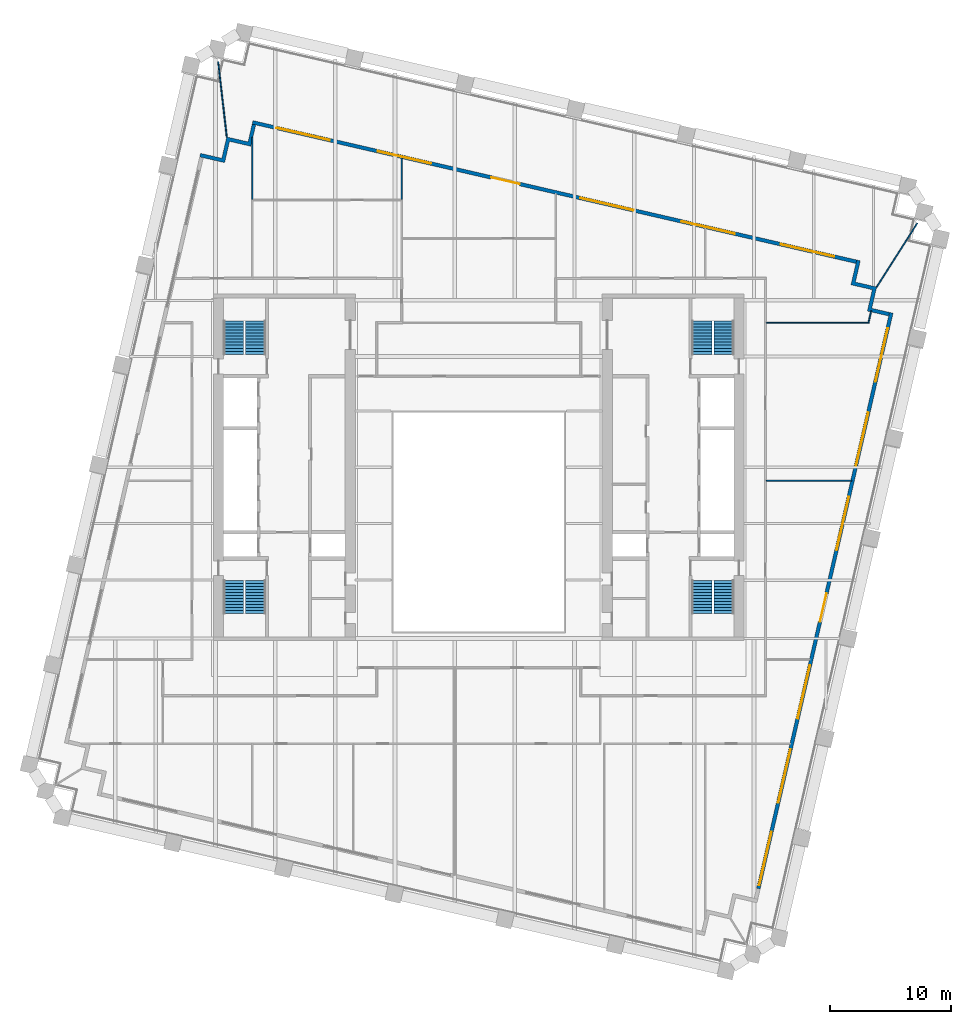
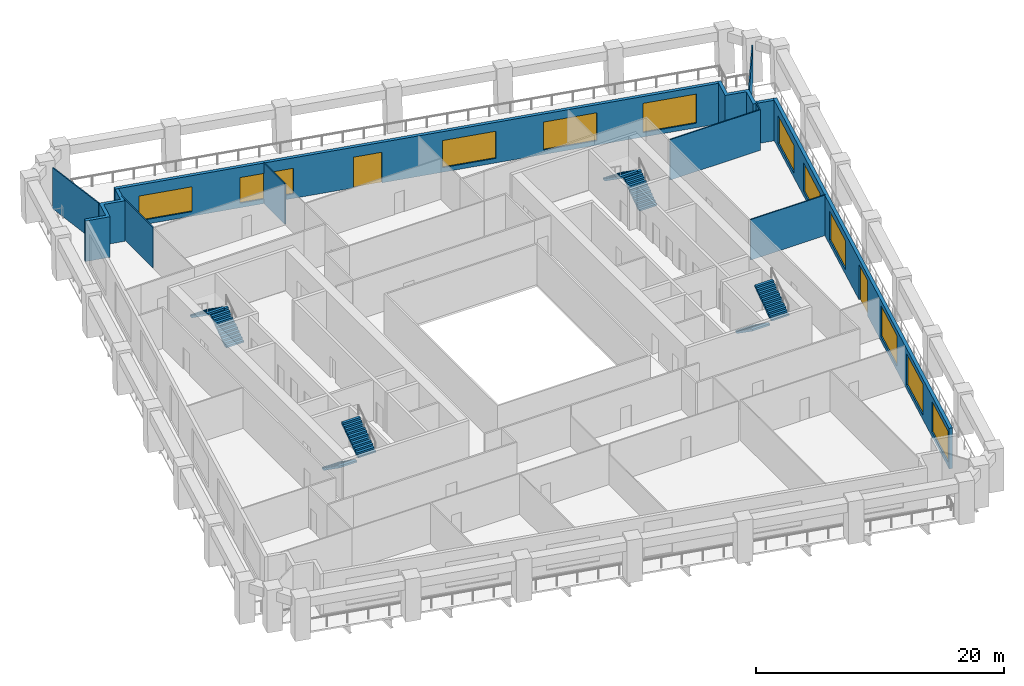
# One storey, part 8 of 10: 11 walls, 11 windows, 8 stair flights, 2 doors, 13 openings, 4 elements without a shape of their own.
"""IFC4 building model written with IfcOpenShell, lengths in metres."""

from ifc_helpers import new_model, si_unit, direction, frame, frame_2d, origin, place, context, subcontext, project, spatial, polyline, rectangle, outline, extrude, material, layer, layer_set, type_object, element, fill, aggregate, save


model = new_model("IFC4")

# Units and contexts
model_context = context("Model", 3, precision=1e-05, world=origin(), true_north=direction((0.0, 1.0)))
body_context = subcontext(model_context, "Body", "Model", "MODEL_VIEW")
ifc_project = project(units=[si_unit("LENGTHUNIT", "METRE"), si_unit("AREAUNIT", "SQUARE_METRE"), si_unit("VOLUMEUNIT", "CUBIC_METRE"), si_unit("PLANEANGLEUNIT", "RADIAN"), si_unit("MASSUNIT", "GRAM", prefix="KILO")], contexts=[model_context])

# Site, building, storey
site_placement = place(None, origin())
site = spatial("IfcSite", under=ifc_project, at=site_placement, CompositionType="ELEMENT")
building_placement = place(site_placement, origin())
building = spatial("IfcBuilding", under=site, at=building_placement, Name="Ogive Exchange Tower", CompositionType="ELEMENT")
storey_placement = place(building_placement, frame((0.0, 0.0, 147.60009765625)))
storey = spatial("IfcBuildingStorey", under=building, at=storey_placement, Name="L32", CompositionType="ELEMENT", Elevation=147.60009765625)

# Wall, openings, door, windows
ifc_material_1 = material(Name="Precast concrete C40/50", Category="concrete")
ifc_layer_1 = layer(ifc_material_1, 0.300048828125)
ifc_layer_set_1 = layer_set([ifc_layer_1], Name="Limestone-faced wall 300")
wall_type_1 = type_object("IfcWallType", Name="Limestone-faced wall 300", PredefinedType="STANDARD", material=ifc_layer_set_1)
wall_1_placement = place(storey_placement, frame((31.07763671875, 28.4208984375, 0.0), z_axis=(0.0, 0.0, 1.0), x_axis=(-0.974370456532, 0.224949357493, 0.0)))
wall_1 = element("IfcWall", 1, at=wall_1_placement, inside=storey, type_object=wall_type_1, Name="External wall N3", PredefinedType="STANDARD", context=body_context, shape_type="SweptSolid", body=[
    extrude(rectangle(XDim=51.0, YDim=0.300048828125, at=frame_2d((25.5, 0.0))), origin(), (0.0, 0.0, 1.0), 4.0),
])
opening_1_placement = place(wall_1_placement, frame((1.875, 0.0, 0.449951171875)))
opening_1 = element("IfcOpeningElement", 2, at=opening_1_placement, cuts=wall_1, Name="Opening W1D", PredefinedType="OPENING", context=body_context, shape_type="SweptSolid", body=[
    extrude(rectangle(XDim=4.5, YDim=2.875, at=frame_2d((2.25, 1.4375))), frame((0.0, 0.159912109375, 0.0), z_axis=(0.0, -1.0, 0.0), x_axis=(1.0, 0.0, 0.0)), (0.0, 0.0, 1.0), 0.320068359375),
])
opening_2_placement = place(wall_1_placement, frame((10.27490234375, 0.0, 0.449951171875)))
opening_2 = element("IfcOpeningElement", 3, at=opening_2_placement, cuts=wall_1, Name="Opening W1H", PredefinedType="OPENING", context=body_context, shape_type="SweptSolid", body=[
    extrude(rectangle(XDim=4.5, YDim=2.75, at=frame_2d((2.25, 1.375))), frame((0.0, 0.159912109375, 0.0), z_axis=(0.0, -1.0, 0.0), x_axis=(1.0, 0.0, 0.0)), (0.0, 0.0, 1.0), 0.320068359375),
])
opening_3_placement = place(wall_1_placement, frame((18.824951171875, 0.0, 0.449951171875)))
opening_3 = element("IfcOpeningElement", 4, at=opening_3_placement, cuts=wall_1, Name="Opening W1J", PredefinedType="OPENING", context=body_context, shape_type="SweptSolid", body=[
    extrude(rectangle(XDim=4.5, YDim=2.675048828125, at=frame_2d((2.25, 1.33740234375))), frame((0.0, 0.159912109375, 0.0), z_axis=(0.0, -1.0, 0.0), x_axis=(1.0, 0.0, 0.0)), (0.0, 0.0, 1.0), 0.320068359375),
])
opening_4_placement = place(wall_1_placement, frame((28.425048828125, 0.0, 0.0)))
opening_4 = element("IfcOpeningElement", 5, at=opening_4_placement, cuts=wall_1, Name="Opening D1M", PredefinedType="OPENING", context=body_context, shape_type="SweptSolid", body=[
    extrude(rectangle(XDim=2.39990234375, YDim=3.02490234375, at=frame_2d((1.199951171875, 1.512451171875))), frame((0.0, 0.159912109375, 0.0), z_axis=(0.0, -1.0, 0.0), x_axis=(1.0, 0.0, 0.0)), (0.0, 0.0, 1.0), 0.320068359375),
])
opening_5_placement = place(wall_1_placement, frame((35.925048828125, 0.0, 0.449951171875)))
opening_5 = element("IfcOpeningElement", 6, at=opening_5_placement, cuts=wall_1, Name="Opening W1N", PredefinedType="OPENING", context=body_context, shape_type="SweptSolid", body=[
    extrude(rectangle(XDim=4.5, YDim=2.52490234375, at=frame_2d((2.25, 1.262451171875))), frame((0.0, 0.159912109375, 0.0), z_axis=(0.0, -1.0, 0.0), x_axis=(1.0, 0.0, 0.0)), (0.0, 0.0, 1.0), 0.320068359375),
])
opening_6_placement = place(wall_1_placement, frame((44.47509765625, 0.0, 0.449951171875)))
opening_6 = element("IfcOpeningElement", 7, at=opening_6_placement, cuts=wall_1, Name="Opening W1Q", PredefinedType="OPENING", context=body_context, shape_type="SweptSolid", body=[
    extrude(rectangle(XDim=4.5, YDim=2.449951171875, at=frame_2d((2.25, 1.22509765625))), frame((0.0, 0.159912109375, 0.0), z_axis=(0.0, -1.0, 0.0), x_axis=(1.0, 0.0, 0.0)), (0.0, 0.0, 1.0), 0.320068359375),
])
ifc_material_2 = material(Name="Clear glass in bronze frame", Category="glass")
door_type_1 = type_object("IfcDoorType", Name="Sliding loggia door 2400 x 3025", OperationType="DOUBLE_DOOR_SLIDING", PredefinedType="DOOR", material=ifc_material_2)
door_1_placement = place(opening_4_placement, origin())
door_1 = element("IfcDoor", 8, at=door_1_placement, inside=storey, type_object=door_type_1, Name="Loggia door N03", OperationType="DOUBLE_DOOR_SLIDING", OverallHeight=3.02490234375, OverallWidth=2.39990234375, PredefinedType="DOOR", context=body_context, shape_type="SweptSolid", body=[
    extrude(rectangle(XDim=2.39990234375, YDim=3.02490234375, at=frame_2d((1.199951171875, 1.512451171875))), frame((0.0, 0.02490234375, 0.0), z_axis=(0.0, -1.0, 0.0), x_axis=(1.0, 0.0, 0.0)), (0.0, 0.0, 1.0), 0.050048828125),
])
fill(opening_4, door_1)
window_type_1 = type_object("IfcWindowType", Name="Twin lancet window 4500 x 2450", PartitioningType="DOUBLE_PANEL_VERTICAL", PredefinedType="WINDOW", material=ifc_material_2)
window_1_placement = place(opening_6_placement, origin())
window_1 = element("IfcWindow", 9, at=window_1_placement, inside=storey, type_object=window_type_1, Name="Window N05", OverallHeight=2.449951171875, OverallWidth=4.5, PartitioningType="DOUBLE_PANEL_VERTICAL", PredefinedType="WINDOW", context=body_context, shape_type="SweptSolid", body=[
    extrude(rectangle(XDim=4.5, YDim=2.449951171875, at=frame_2d((2.25, 1.22509765625))), frame((0.0, 0.030029296875, 0.0), z_axis=(0.0, -1.0, 0.0), x_axis=(1.0, 0.0, 0.0)), (0.0, 0.0, 1.0), 0.06005859375),
])
fill(opening_6, window_1)
window_type_2 = type_object("IfcWindowType", Name="Twin lancet window 4500 x 2525", PartitioningType="DOUBLE_PANEL_VERTICAL", PredefinedType="WINDOW", material=ifc_material_2)
window_2_placement = place(opening_5_placement, origin())
window_2 = element("IfcWindow", 10, at=window_2_placement, inside=storey, type_object=window_type_2, Name="Window N04", OverallHeight=2.52490234375, OverallWidth=4.5, PartitioningType="DOUBLE_PANEL_VERTICAL", PredefinedType="WINDOW", context=body_context, shape_type="SweptSolid", body=[
    extrude(rectangle(XDim=4.5, YDim=2.52490234375, at=frame_2d((2.25, 1.262451171875))), frame((0.0, 0.030029296875, 0.0), z_axis=(0.0, -1.0, 0.0), x_axis=(1.0, 0.0, 0.0)), (0.0, 0.0, 1.0), 0.06005859375),
])
fill(opening_5, window_2)
window_type_3 = type_object("IfcWindowType", Name="Twin lancet window 4500 x 2675", PartitioningType="DOUBLE_PANEL_VERTICAL", PredefinedType="WINDOW", material=ifc_material_2)
window_3_placement = place(opening_3_placement, origin())
window_3 = element("IfcWindow", 11, at=window_3_placement, inside=storey, type_object=window_type_3, Name="Window N02", OverallHeight=2.675048828125, OverallWidth=4.5, PartitioningType="DOUBLE_PANEL_VERTICAL", PredefinedType="WINDOW", context=body_context, shape_type="SweptSolid", body=[
    extrude(rectangle(XDim=4.5, YDim=2.675048828125, at=frame_2d((2.25, 1.33740234375))), frame((0.0, 0.030029296875, 0.0), z_axis=(0.0, -1.0, 0.0), x_axis=(1.0, 0.0, 0.0)), (0.0, 0.0, 1.0), 0.06005859375),
])
fill(opening_3, window_3)
window_type_4 = type_object("IfcWindowType", Name="Twin lancet window 4500 x 2750", PartitioningType="DOUBLE_PANEL_VERTICAL", PredefinedType="WINDOW", material=ifc_material_2)
window_4_placement = place(opening_2_placement, origin())
window_4 = element("IfcWindow", 12, at=window_4_placement, inside=storey, type_object=window_type_4, Name="Window N01", OverallHeight=2.75, OverallWidth=4.5, PartitioningType="DOUBLE_PANEL_VERTICAL", PredefinedType="WINDOW", context=body_context, shape_type="SweptSolid", body=[
    extrude(rectangle(XDim=4.5, YDim=2.75, at=frame_2d((2.25, 1.375))), frame((0.0, 0.030029296875, 0.0), z_axis=(0.0, -1.0, 0.0), x_axis=(1.0, 0.0, 0.0)), (0.0, 0.0, 1.0), 0.06005859375),
])
fill(opening_2, window_4)
window_type_5 = type_object("IfcWindowType", Name="Twin lancet window 4500 x 2875", PartitioningType="DOUBLE_PANEL_VERTICAL", PredefinedType="WINDOW", material=ifc_material_2)
window_5_placement = place(opening_1_placement, origin())
window_5 = element("IfcWindow", 13, at=window_5_placement, inside=storey, type_object=window_type_5, Name="Window N00", OverallHeight=2.875, OverallWidth=4.5, PartitioningType="DOUBLE_PANEL_VERTICAL", PredefinedType="WINDOW", context=body_context, shape_type="SweptSolid", body=[
    extrude(rectangle(XDim=4.5, YDim=2.875, at=frame_2d((2.25, 1.4375))), frame((0.0, 0.030029296875, 0.0), z_axis=(0.0, -1.0, 0.0), x_axis=(1.0, 0.0, 0.0)), (0.0, 0.0, 1.0), 0.06005859375),
])
fill(opening_1, window_5)

# Walls
wall_2_placement = place(storey_placement, origin())
element("IfcWall", 14, at=wall_2_placement, inside=storey, type_object=wall_type_1, Name="External corner wall C2", PredefinedType="STANDARD", context=body_context, shape_type="SweptSolid", body=[
    extrude(outline(polyline([(32.392822265625, 26.115966796875), (30.638916015625, 26.52099609375), (31.111328125, 28.56689453125), (31.40380859375, 28.49951171875), (30.998779296875, 26.74560546875), (32.752685546875, 26.3408203125), (32.34765625, 24.5869140625), (33.809326171875, 24.24951171875), (33.74169921875, 23.957275390625), (31.98779296875, 24.362060546875), (32.392822265625, 26.115966796875)])), origin(), (0.0, 0.0, 1.0), 4.0),
])
wall_3_placement = place(storey_placement, origin())
element("IfcWall", 15, at=wall_3_placement, inside=storey, type_object=wall_type_1, Name="External corner wall C3", PredefinedType="STANDARD", context=body_context, shape_type="SweptSolid", body=[
    extrude(outline(polyline([(-22.966552734375, 37.04931640625), (-22.89892578125, 37.341552734375), (-21.145263671875, 36.936767578125), (-20.740234375, 38.690673828125), (-18.986328125, 38.28564453125), (-18.64892578125, 39.747314453125), (-18.356689453125, 39.6796875), (-18.76171875, 37.92578125), (-20.515380859375, 38.330810546875), (-20.92041015625, 36.576904296875), (-22.966552734375, 37.04931640625)])), origin(), (0.0, 0.0, 1.0), 4.0),
])

# Wall, openings, door, windows
wall_4_placement = place(storey_placement, frame((23.014404296875, -23.175537109375, 0.0), z_axis=(0.0, 0.0, 1.0), x_axis=(0.2249511548, 0.974370041593, 0.0)))
wall_4 = element("IfcWall", 16, at=wall_4_placement, inside=storey, type_object=wall_type_1, Name="External wall E2", PredefinedType="STANDARD", context=body_context, shape_type="SweptSolid", body=[
    extrude(rectangle(XDim=48.637939453125, YDim=0.300048828125, at=frame_2d((24.31884765625, 0.0))), origin(), (0.0, 0.0, 1.0), 4.0),
])
opening_7_placement = place(wall_4_placement, frame((0.294921875, 0.0, 0.449951171875)))
opening_7 = element("IfcOpeningElement", 17, at=opening_7_placement, cuts=wall_4, Name="Opening W1", PredefinedType="OPENING", context=body_context, shape_type="SweptSolid", body=[
    extrude(rectangle(XDim=4.5, YDim=3.050048828125, at=frame_2d((2.25, 1.52490234375))), frame((0.0, 0.159912109375, 0.0), z_axis=(0.0, -1.0, 0.0), x_axis=(1.0, 0.0, 0.0)), (0.0, 0.0, 1.0), 0.320068359375),
])
opening_8_placement = place(wall_4_placement, frame((7.25927734375, 0.0, 0.449951171875)))
opening_8 = element("IfcOpeningElement", 18, at=opening_8_placement, cuts=wall_4, Name="Opening W1", PredefinedType="OPENING", context=body_context, shape_type="SweptSolid", body=[
    extrude(rectangle(XDim=4.5, YDim=3.050048828125, at=frame_2d((2.25, 1.52490234375))), frame((0.0, 0.159912109375, 0.0), z_axis=(0.0, -1.0, 0.0), x_axis=(1.0, 0.0, 0.0)), (0.0, 0.0, 1.0), 0.320068359375),
])
opening_9_placement = place(wall_4_placement, frame((14.37353515625, 0.0, 0.449951171875)))
opening_9 = element("IfcOpeningElement", 19, at=opening_9_placement, cuts=wall_4, Name="Opening W1", PredefinedType="OPENING", context=body_context, shape_type="SweptSolid", body=[
    extrude(rectangle(XDim=4.5, YDim=3.050048828125, at=frame_2d((2.25, 1.52490234375))), frame((0.0, 0.159912109375, 0.0), z_axis=(0.0, -1.0, 0.0), x_axis=(1.0, 0.0, 0.0)), (0.0, 0.0, 1.0), 0.320068359375),
])
opening_10_placement = place(wall_4_placement, frame((22.537841796875, 0.0, 0.0)))
opening_10 = element("IfcOpeningElement", 20, at=opening_10_placement, cuts=wall_4, Name="Opening D1", PredefinedType="OPENING", context=body_context, shape_type="SweptSolid", body=[
    extrude(rectangle(XDim=2.39990234375, YDim=3.5, at=frame_2d((1.199951171875, 1.75))), frame((0.0, 0.159912109375, 0.0), z_axis=(0.0, -1.0, 0.0), x_axis=(1.0, 0.0, 0.0)), (0.0, 0.0, 1.0), 0.320068359375),
])
opening_11_placement = place(wall_4_placement, frame((28.60205078125, 0.0, 0.449951171875)))
opening_11 = element("IfcOpeningElement", 21, at=opening_11_placement, cuts=wall_4, Name="Opening W1D", PredefinedType="OPENING", context=body_context, shape_type="SweptSolid", body=[
    extrude(rectangle(XDim=4.5, YDim=2.875, at=frame_2d((2.25, 1.4375))), frame((0.0, 0.159912109375, 0.0), z_axis=(0.0, -1.0, 0.0), x_axis=(1.0, 0.0, 0.0)), (0.0, 0.0, 1.0), 0.320068359375),
])
opening_12_placement = place(wall_4_placement, frame((35.71630859375, 0.0, 0.449951171875)))
opening_12 = element("IfcOpeningElement", 22, at=opening_12_placement, cuts=wall_4, Name="Opening W1E", PredefinedType="OPENING", context=body_context, shape_type="SweptSolid", body=[
    extrude(rectangle(XDim=4.5, YDim=2.824951171875, at=frame_2d((2.25, 1.41259765625))), frame((0.0, 0.159912109375, 0.0), z_axis=(0.0, -1.0, 0.0), x_axis=(1.0, 0.0, 0.0)), (0.0, 0.0, 1.0), 0.320068359375),
])
opening_13_placement = place(wall_4_placement, frame((42.83056640625, 0.0, 0.449951171875)))
opening_13 = element("IfcOpeningElement", 23, at=opening_13_placement, cuts=wall_4, Name="Opening W1H", PredefinedType="OPENING", context=body_context, shape_type="SweptSolid", body=[
    extrude(rectangle(XDim=4.5, YDim=2.75, at=frame_2d((2.25, 1.375))), frame((0.0, 0.159912109375, 0.0), z_axis=(0.0, -1.0, 0.0), x_axis=(1.0, 0.0, 0.0)), (0.0, 0.0, 1.0), 0.320068359375),
])
door_type_2 = type_object("IfcDoorType", Name="Sliding loggia door 2400 x 3500", OperationType="DOUBLE_DOOR_SLIDING", PredefinedType="DOOR", material=ifc_material_2)
door_2_placement = place(opening_10_placement, origin())
door_2 = element("IfcDoor", 24, at=door_2_placement, inside=storey, type_object=door_type_2, Name="Loggia door E03", OperationType="DOUBLE_DOOR_SLIDING", OverallHeight=3.5, OverallWidth=2.39990234375, PredefinedType="DOOR", context=body_context, shape_type="SweptSolid", body=[
    extrude(rectangle(XDim=2.39990234375, YDim=3.5, at=frame_2d((1.199951171875, 1.75))), frame((0.0, 0.02490234375, 0.0), z_axis=(0.0, -1.0, 0.0), x_axis=(1.0, 0.0, 0.0)), (0.0, 0.0, 1.0), 0.050048828125),
])
fill(opening_10, door_2)
window_6_placement = place(opening_13_placement, origin())
window_6 = element("IfcWindow", 25, at=window_6_placement, inside=storey, type_object=window_type_4, Name="Window E06", OverallHeight=2.75, OverallWidth=4.5, PartitioningType="DOUBLE_PANEL_VERTICAL", PredefinedType="WINDOW", context=body_context, shape_type="SweptSolid", body=[
    extrude(rectangle(XDim=4.5, YDim=2.75, at=frame_2d((2.25, 1.375))), frame((0.0, 0.030029296875, 0.0), z_axis=(0.0, -1.0, 0.0), x_axis=(1.0, 0.0, 0.0)), (0.0, 0.0, 1.0), 0.06005859375),
])
fill(opening_13, window_6)
window_type_6 = type_object("IfcWindowType", Name="Twin lancet window 4500 x 2825", PartitioningType="DOUBLE_PANEL_VERTICAL", PredefinedType="WINDOW", material=ifc_material_2)
window_7_placement = place(opening_12_placement, origin())
window_7 = element("IfcWindow", 26, at=window_7_placement, inside=storey, type_object=window_type_6, Name="Window E05", OverallHeight=2.824951171875, OverallWidth=4.5, PartitioningType="DOUBLE_PANEL_VERTICAL", PredefinedType="WINDOW", context=body_context, shape_type="SweptSolid", body=[
    extrude(rectangle(XDim=4.5, YDim=2.824951171875, at=frame_2d((2.25, 1.41259765625))), frame((0.0, 0.030029296875, 0.0), z_axis=(0.0, -1.0, 0.0), x_axis=(1.0, 0.0, 0.0)), (0.0, 0.0, 1.0), 0.06005859375),
])
fill(opening_12, window_7)
window_8_placement = place(opening_11_placement, origin())
window_8 = element("IfcWindow", 27, at=window_8_placement, inside=storey, type_object=window_type_5, Name="Window E04", OverallHeight=2.875, OverallWidth=4.5, PartitioningType="DOUBLE_PANEL_VERTICAL", PredefinedType="WINDOW", context=body_context, shape_type="SweptSolid", body=[
    extrude(rectangle(XDim=4.5, YDim=2.875, at=frame_2d((2.25, 1.4375))), frame((0.0, 0.030029296875, 0.0), z_axis=(0.0, -1.0, 0.0), x_axis=(1.0, 0.0, 0.0)), (0.0, 0.0, 1.0), 0.06005859375),
])
fill(opening_11, window_8)
window_type_7 = type_object("IfcWindowType", Name="Twin lancet window 4500 x 3050", PartitioningType="DOUBLE_PANEL_VERTICAL", PredefinedType="WINDOW", material=ifc_material_2)
window_9_placement = place(opening_7_placement, origin())
window_9 = element("IfcWindow", 28, at=window_9_placement, inside=storey, type_object=window_type_7, Name="Window E00", OverallHeight=3.050048828125, OverallWidth=4.5, PartitioningType="DOUBLE_PANEL_VERTICAL", PredefinedType="WINDOW", context=body_context, shape_type="SweptSolid", body=[
    extrude(rectangle(XDim=4.5, YDim=3.050048828125, at=frame_2d((2.25, 1.52490234375))), frame((0.0, 0.030029296875, 0.0), z_axis=(0.0, -1.0, 0.0), x_axis=(1.0, 0.0, 0.0)), (0.0, 0.0, 1.0), 0.06005859375),
])
fill(opening_7, window_9)
window_10_placement = place(opening_8_placement, origin())
window_10 = element("IfcWindow", 29, at=window_10_placement, inside=storey, type_object=window_type_7, Name="Window E01", OverallHeight=3.050048828125, OverallWidth=4.5, PartitioningType="DOUBLE_PANEL_VERTICAL", PredefinedType="WINDOW", context=body_context, shape_type="SweptSolid", body=[
    extrude(rectangle(XDim=4.5, YDim=3.050048828125, at=frame_2d((2.25, 1.52490234375))), frame((0.0, 0.030029296875, 0.0), z_axis=(0.0, -1.0, 0.0), x_axis=(1.0, 0.0, 0.0)), (0.0, 0.0, 1.0), 0.06005859375),
])
fill(opening_8, window_10)
window_11_placement = place(opening_9_placement, origin())
window_11 = element("IfcWindow", 30, at=window_11_placement, inside=storey, type_object=window_type_7, Name="Window E02", OverallHeight=3.050048828125, OverallWidth=4.5, PartitioningType="DOUBLE_PANEL_VERTICAL", PredefinedType="WINDOW", context=body_context, shape_type="SweptSolid", body=[
    extrude(rectangle(XDim=4.5, YDim=3.050048828125, at=frame_2d((2.25, 1.52490234375))), frame((0.0, 0.030029296875, 0.0), z_axis=(0.0, -1.0, 0.0), x_axis=(1.0, 0.0, 0.0)), (0.0, 0.0, 1.0), 0.06005859375),
])
fill(opening_9, window_11)

# Walls
ifc_material_3 = material(Name="Laminated safety glass in steel frame", Category="steel")
ifc_layer_2 = layer(ifc_material_3, 0.10009765625)
ifc_layer_set_2 = layer_set([ifc_layer_2], Name="Loggia end screen 100")
wall_type_2 = type_object("IfcWallType", Name="Loggia end screen 100", PredefinedType="STANDARD", material=ifc_layer_set_2)
for number, where, z_axis, x_axis, name in (
    (31, (32.752685546875, 26.3408203125, -0.050048828125), (0.0, 0.0, 1.0), (0.537832482238, 0.843051730945, 0.0), "Loggia end screen C2"),
    (32, (-20.740234375, 38.690673828125, -0.050048828125), (0.0, 0.0, 1.0), (-0.113820349033, 0.993501347833, 0.0), "Loggia end screen C3"),
):
    element("IfcWall", number, at=place(storey_placement, frame(where, z_axis=z_axis, x_axis=x_axis)), inside=storey, type_object=wall_type_2, Name=name, PredefinedType="STANDARD", context=body_context, shape_type="SweptSolid", body=[
        extrude(rectangle(XDim=6.237548828125, YDim=0.10009765625, at=frame_2d((3.11865234375, 0.0))), origin(), (0.0, 0.0, 1.0), 4.050048828125),
    ])
ifc_material_4 = material(Name="Partition 100 gypsum")
ifc_layer_3 = layer(ifc_material_4, 0.10009765625)
ifc_layer_set_3 = layer_set([ifc_layer_3], Name="Partition 100 gypsum")
wall_type_3 = type_object("IfcWallType", Name="Partition 100 gypsum", PredefinedType="PARTITIONING", material=ifc_layer_set_3)
wall_5_placement = place(storey_placement, frame((-18.64990234375, 33.550048828125, 0.0), z_axis=(0.0, 0.0, 1.0), x_axis=(0.0, 1.0, 0.0)))
element("IfcWall", 33, at=wall_5_placement, inside=storey, type_object=wall_type_3, Name="L32-PWL-017", PredefinedType="PARTITIONING", context=body_context, shape_type="SweptSolid", body=[
    extrude(rectangle(XDim=5.10400390625, YDim=0.10009765625, at=frame_2d((2.552001953125, 0.0))), origin(), (0.0, 0.0, 1.0), 4.0),
])
wall_6_placement = place(storey_placement, frame((-6.340087890625, 33.550048828125, 0.0), z_axis=(0.0, 0.0, 1.0), x_axis=(0.0, 1.0, 0.0)))
element("IfcWall", 34, at=wall_6_placement, inside=storey, type_object=wall_type_3, Name="L32-PWL-032", PredefinedType="PARTITIONING", context=body_context, shape_type="SweptSolid", body=[
    extrude(rectangle(XDim=3.43798828125, YDim=0.10009765625, at=frame_2d((1.718994140625, 0.0))), origin(), (0.0, 0.0, 1.0), 4.0),
])
wall_7_placement = place(storey_placement, frame((23.675048828125, 23.409912109375, 0.0), z_axis=(0.0, 0.0, 1.0), x_axis=(1.0, 0.0, 0.0)))
element("IfcWall", 35, at=wall_7_placement, inside=storey, type_object=wall_type_3, Name="L32-PWL-058", PredefinedType="PARTITIONING", context=body_context, shape_type="SweptSolid", body=[
    extrude(rectangle(XDim=8.454833984375, YDim=0.10009765625, at=frame_2d((4.2275390625, 0.0))), origin(), (0.0, 0.0, 1.0), 4.0),
])
wall_8_placement = place(storey_placement, frame((30.69189453125, 10.389892578125, 0.0), z_axis=(0.0, 0.0, 1.0), x_axis=(-1.0, 0.0, 0.0)))
element("IfcWall", 36, at=wall_8_placement, inside=storey, type_object=wall_type_3, Name="L32-PWL-062", PredefinedType="PARTITIONING", context=body_context, shape_type="SweptSolid", body=[
    extrude(rectangle(XDim=7.016845703125, YDim=0.10009765625, at=frame_2d((3.50830078125, 0.0))), origin(), (0.0, 0.0, 1.0), 4.0),
])
wall_9_placement = place(storey_placement, frame((32.091064453125, 23.458984375, 0.0), z_axis=(0.0, 0.0, 1.0), x_axis=(0.223406444343, 0.97472537703, 0.0)))
element("IfcWall", 37, at=wall_9_placement, inside=storey, type_object=wall_type_3, Name="L32-PWL-063", PredefinedType="PARTITIONING", context=body_context, shape_type="SweptSolid", body=[
    extrude(rectangle(XDim=0.957275390625, YDim=0.10009765625, at=frame_2d((0.478515625, 0.0))), origin(), (0.0, 0.0, 1.0), 4.0),
])

# Stair, stair flights
ifc_material_5 = material(Name="Concrete C40/50", Category="concrete")
stair_type = type_object("IfcStairType", Name="Exit stair 1650 wide", PredefinedType="HALF_TURN_STAIR", material=ifc_material_5)
stair_1_placement = place(storey_placement, origin())
stair_1 = element("IfcStair", 38, at=stair_1_placement, inside=storey, type_object=stair_type, Name="L32 exit stair ST1", PredefinedType="HALF_TURN_STAIR")
stair_flight_type = type_object("IfcStairFlightType", Name="Stair flight 1650 wide", PredefinedType="STRAIGHT", material=ifc_material_5)
stair_flight_1_placement = place(storey_placement, frame((-20.175048828125, 2.199951171875, 0.0), z_axis=(0.0, 0.0, 1.0), x_axis=(0.0, -1.0, 0.0)))
stair_flight_1 = element("IfcStairFlight", 39, at=stair_flight_1_placement, type_object=stair_flight_type, Name="ST1 flight 1", NumberOfRisers=12, NumberOfTreads=11, PredefinedType="STRAIGHT", RiserHeight=0.175, TreadLength=0.25, context=body_context, shape_type="SweptSolid", body=[
    extrude(outline(polyline([(0.0, 0.0), (0.0, 0.175048828125), (0.25, 0.175048828125), (0.25, 0.35009765625), (0.5, 0.35009765625), (0.5, 0.52490234375), (0.75, 0.52490234375), (0.75, 0.699951171875), (1.0, 0.699951171875), (1.0, 0.875), (1.25, 0.875), (1.25, 1.050048828125), (1.5, 1.050048828125), (1.5, 1.22509765625), (1.75, 1.22509765625), (1.75, 1.39990234375), (2.0, 1.39990234375), (2.0, 1.574951171875), (2.25, 1.574951171875), (2.25, 1.75), (2.5, 1.75), (2.5, 1.925048828125), (2.75, 1.925048828125), (2.75, 2.10009765625), (2.75, 1.741943359375), (0.261474609375, 0.0), (0.0, 0.0)])), frame((0.0, 0.824951171875, 0.0), z_axis=(0.0, -1.0, 0.0), x_axis=(1.0, 0.0, 0.0)), (0.0, 0.0, 1.0), 1.64990234375),
])
stair_flight_2_placement = place(storey_placement, frame((-18.375, -0.550048828125, 2.099853515625), z_axis=(0.0, 0.0, 1.0), x_axis=(0.0, 1.0, 0.0)))
stair_flight_2 = element("IfcStairFlight", 40, at=stair_flight_2_placement, type_object=stair_flight_type, Name="ST1 flight 2", NumberOfRisers=12, NumberOfTreads=11, PredefinedType="STRAIGHT", RiserHeight=0.175, TreadLength=0.25, context=body_context, shape_type="SweptSolid", body=[
    extrude(outline(polyline([(0.0, 0.0), (0.0, 0.175048828125), (0.25, 0.175048828125), (0.25, 0.35009765625), (0.5, 0.35009765625), (0.5, 0.52490234375), (0.75, 0.52490234375), (0.75, 0.699951171875), (1.0, 0.699951171875), (1.0, 0.875), (1.25, 0.875), (1.25, 1.050048828125), (1.5, 1.050048828125), (1.5, 1.22509765625), (1.75, 1.22509765625), (1.75, 1.39990234375), (2.0, 1.39990234375), (2.0, 1.574951171875), (2.25, 1.574951171875), (2.25, 1.75), (2.5, 1.75), (2.5, 1.925048828125), (2.75, 1.925048828125), (2.75, 2.10009765625), (2.75, 1.741943359375), (0.261474609375, 0.0), (0.0, 0.0)])), frame((0.0, 0.824951171875, 0.0), z_axis=(0.0, -1.0, 0.0), x_axis=(1.0, 0.0, 0.0)), (0.0, 0.0, 1.0), 1.64990234375),
])
aggregate(stair_1, [stair_flight_1, stair_flight_2])

stair_2_placement = place(storey_placement, origin())
stair_2 = element("IfcStair", 41, at=stair_2_placement, inside=storey, type_object=stair_type, Name="L32 exit stair ST2", PredefinedType="HALF_TURN_STAIR")
stair_flight_3_placement = place(storey_placement, frame((-18.375, 20.800048828125, 0.0), z_axis=(0.0, 0.0, 1.0), x_axis=(0.0, 1.0, 0.0)))
stair_flight_3 = element("IfcStairFlight", 42, at=stair_flight_3_placement, type_object=stair_flight_type, Name="ST2 flight 1", NumberOfRisers=12, NumberOfTreads=11, PredefinedType="STRAIGHT", RiserHeight=0.175, TreadLength=0.25, context=body_context, shape_type="SweptSolid", body=[
    extrude(outline(polyline([(0.0, 0.0), (0.0, 0.175048828125), (0.25, 0.175048828125), (0.25, 0.35009765625), (0.5, 0.35009765625), (0.5, 0.52490234375), (0.75, 0.52490234375), (0.75, 0.699951171875), (1.0, 0.699951171875), (1.0, 0.875), (1.25, 0.875), (1.25, 1.050048828125), (1.5, 1.050048828125), (1.5, 1.22509765625), (1.75, 1.22509765625), (1.75, 1.39990234375), (2.0, 1.39990234375), (2.0, 1.574951171875), (2.25, 1.574951171875), (2.25, 1.75), (2.5, 1.75), (2.5, 1.925048828125), (2.75, 1.925048828125), (2.75, 2.10009765625), (2.75, 1.741943359375), (0.261474609375, 0.0), (0.0, 0.0)])), frame((0.0, 0.824951171875, 0.0), z_axis=(0.0, -1.0, 0.0), x_axis=(1.0, 0.0, 0.0)), (0.0, 0.0, 1.0), 1.64990234375),
])
stair_flight_4_placement = place(storey_placement, frame((-20.175048828125, 23.550048828125, 2.099853515625), z_axis=(0.0, 0.0, 1.0), x_axis=(0.0, -1.0, 0.0)))
stair_flight_4 = element("IfcStairFlight", 43, at=stair_flight_4_placement, type_object=stair_flight_type, Name="ST2 flight 2", NumberOfRisers=12, NumberOfTreads=11, PredefinedType="STRAIGHT", RiserHeight=0.175, TreadLength=0.25, context=body_context, shape_type="SweptSolid", body=[
    extrude(outline(polyline([(0.0, 0.0), (0.0, 0.175048828125), (0.25, 0.175048828125), (0.25, 0.35009765625), (0.5, 0.35009765625), (0.5, 0.52490234375), (0.75, 0.52490234375), (0.75, 0.699951171875), (1.0, 0.699951171875), (1.0, 0.875), (1.25, 0.875), (1.25, 1.050048828125), (1.5, 1.050048828125), (1.5, 1.22509765625), (1.75, 1.22509765625), (1.75, 1.39990234375), (2.0, 1.39990234375), (2.0, 1.574951171875), (2.25, 1.574951171875), (2.25, 1.75), (2.5, 1.75), (2.5, 1.925048828125), (2.75, 1.925048828125), (2.75, 2.10009765625), (2.75, 1.741943359375), (0.261474609375, 0.0), (0.0, 0.0)])), frame((0.0, 0.824951171875, 0.0), z_axis=(0.0, -1.0, 0.0), x_axis=(1.0, 0.0, 0.0)), (0.0, 0.0, 1.0), 1.64990234375),
])
aggregate(stair_2, [stair_flight_3, stair_flight_4])

stair_3_placement = place(storey_placement, origin())
stair_3 = element("IfcStair", 44, at=stair_3_placement, inside=storey, type_object=stair_type, Name="L32 exit stair ST3", PredefinedType="HALF_TURN_STAIR")
stair_flight_5_placement = place(storey_placement, frame((18.375, 2.199951171875, 0.0), z_axis=(0.0, 0.0, 1.0), x_axis=(0.0, -1.0, 0.0)))
stair_flight_5 = element("IfcStairFlight", 45, at=stair_flight_5_placement, type_object=stair_flight_type, Name="ST3 flight 1", NumberOfRisers=12, NumberOfTreads=11, PredefinedType="STRAIGHT", RiserHeight=0.175, TreadLength=0.25, context=body_context, shape_type="SweptSolid", body=[
    extrude(outline(polyline([(0.0, 0.0), (0.0, 0.175048828125), (0.25, 0.175048828125), (0.25, 0.35009765625), (0.5, 0.35009765625), (0.5, 0.52490234375), (0.75, 0.52490234375), (0.75, 0.699951171875), (1.0, 0.699951171875), (1.0, 0.875), (1.25, 0.875), (1.25, 1.050048828125), (1.5, 1.050048828125), (1.5, 1.22509765625), (1.75, 1.22509765625), (1.75, 1.39990234375), (2.0, 1.39990234375), (2.0, 1.574951171875), (2.25, 1.574951171875), (2.25, 1.75), (2.5, 1.75), (2.5, 1.925048828125), (2.75, 1.925048828125), (2.75, 2.10009765625), (2.75, 1.741943359375), (0.261474609375, 0.0), (0.0, 0.0)])), frame((0.0, 0.824951171875, 0.0), z_axis=(0.0, -1.0, 0.0), x_axis=(1.0, 0.0, 0.0)), (0.0, 0.0, 1.0), 1.64990234375),
])
stair_flight_6_placement = place(storey_placement, frame((20.175048828125, -0.550048828125, 2.099853515625), z_axis=(0.0, 0.0, 1.0), x_axis=(0.0, 1.0, 0.0)))
stair_flight_6 = element("IfcStairFlight", 46, at=stair_flight_6_placement, type_object=stair_flight_type, Name="ST3 flight 2", NumberOfRisers=12, NumberOfTreads=11, PredefinedType="STRAIGHT", RiserHeight=0.175, TreadLength=0.25, context=body_context, shape_type="SweptSolid", body=[
    extrude(outline(polyline([(0.0, 0.0), (0.0, 0.175048828125), (0.25, 0.175048828125), (0.25, 0.35009765625), (0.5, 0.35009765625), (0.5, 0.52490234375), (0.75, 0.52490234375), (0.75, 0.699951171875), (1.0, 0.699951171875), (1.0, 0.875), (1.25, 0.875), (1.25, 1.050048828125), (1.5, 1.050048828125), (1.5, 1.22509765625), (1.75, 1.22509765625), (1.75, 1.39990234375), (2.0, 1.39990234375), (2.0, 1.574951171875), (2.25, 1.574951171875), (2.25, 1.75), (2.5, 1.75), (2.5, 1.925048828125), (2.75, 1.925048828125), (2.75, 2.10009765625), (2.75, 1.741943359375), (0.261474609375, 0.0), (0.0, 0.0)])), frame((0.0, 0.824951171875, 0.0), z_axis=(0.0, -1.0, 0.0), x_axis=(1.0, 0.0, 0.0)), (0.0, 0.0, 1.0), 1.64990234375),
])
aggregate(stair_3, [stair_flight_5, stair_flight_6])

stair_4_placement = place(storey_placement, origin())
stair_4 = element("IfcStair", 47, at=stair_4_placement, inside=storey, type_object=stair_type, Name="L32 exit stair ST4", PredefinedType="HALF_TURN_STAIR")
stair_flight_7_placement = place(storey_placement, frame((20.175048828125, 20.800048828125, 0.0), z_axis=(0.0, 0.0, 1.0), x_axis=(0.0, 1.0, 0.0)))
stair_flight_7 = element("IfcStairFlight", 48, at=stair_flight_7_placement, type_object=stair_flight_type, Name="ST4 flight 1", NumberOfRisers=12, NumberOfTreads=11, PredefinedType="STRAIGHT", RiserHeight=0.175, TreadLength=0.25, context=body_context, shape_type="SweptSolid", body=[
    extrude(outline(polyline([(0.0, 0.0), (0.0, 0.175048828125), (0.25, 0.175048828125), (0.25, 0.35009765625), (0.5, 0.35009765625), (0.5, 0.52490234375), (0.75, 0.52490234375), (0.75, 0.699951171875), (1.0, 0.699951171875), (1.0, 0.875), (1.25, 0.875), (1.25, 1.050048828125), (1.5, 1.050048828125), (1.5, 1.22509765625), (1.75, 1.22509765625), (1.75, 1.39990234375), (2.0, 1.39990234375), (2.0, 1.574951171875), (2.25, 1.574951171875), (2.25, 1.75), (2.5, 1.75), (2.5, 1.925048828125), (2.75, 1.925048828125), (2.75, 2.10009765625), (2.75, 1.741943359375), (0.261474609375, 0.0), (0.0, 0.0)])), frame((0.0, 0.824951171875, 0.0), z_axis=(0.0, -1.0, 0.0), x_axis=(1.0, 0.0, 0.0)), (0.0, 0.0, 1.0), 1.64990234375),
])
stair_flight_8_placement = place(storey_placement, frame((18.375, 23.550048828125, 2.099853515625), z_axis=(0.0, 0.0, 1.0), x_axis=(0.0, -1.0, 0.0)))
stair_flight_8 = element("IfcStairFlight", 49, at=stair_flight_8_placement, type_object=stair_flight_type, Name="ST4 flight 2", NumberOfRisers=12, NumberOfTreads=11, PredefinedType="STRAIGHT", RiserHeight=0.175, TreadLength=0.25, context=body_context, shape_type="SweptSolid", body=[
    extrude(outline(polyline([(0.0, 0.0), (0.0, 0.175048828125), (0.25, 0.175048828125), (0.25, 0.35009765625), (0.5, 0.35009765625), (0.5, 0.52490234375), (0.75, 0.52490234375), (0.75, 0.699951171875), (1.0, 0.699951171875), (1.0, 0.875), (1.25, 0.875), (1.25, 1.050048828125), (1.5, 1.050048828125), (1.5, 1.22509765625), (1.75, 1.22509765625), (1.75, 1.39990234375), (2.0, 1.39990234375), (2.0, 1.574951171875), (2.25, 1.574951171875), (2.25, 1.75), (2.5, 1.75), (2.5, 1.925048828125), (2.75, 1.925048828125), (2.75, 2.10009765625), (2.75, 1.741943359375), (0.261474609375, 0.0), (0.0, 0.0)])), frame((0.0, 0.824951171875, 0.0), z_axis=(0.0, -1.0, 0.0), x_axis=(1.0, 0.0, 0.0)), (0.0, 0.0, 1.0), 1.64990234375),
])
aggregate(stair_4, [stair_flight_7, stair_flight_8])

save(model, "model.ifc")
